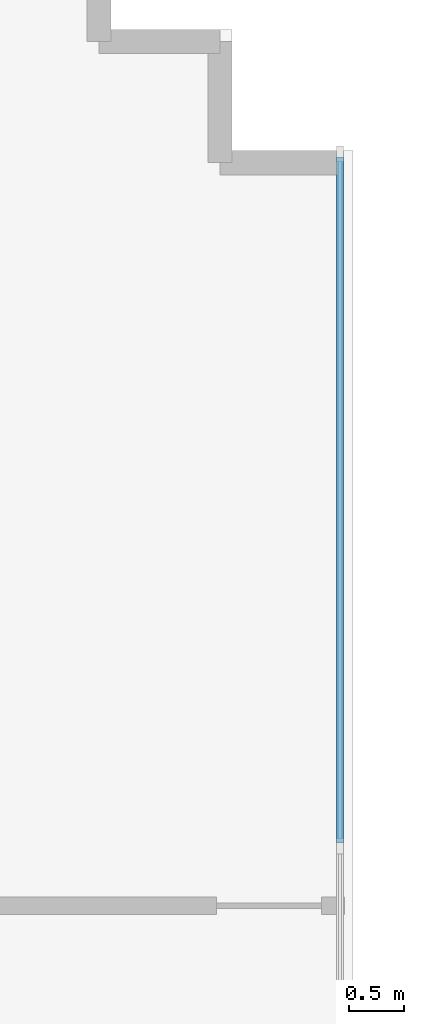
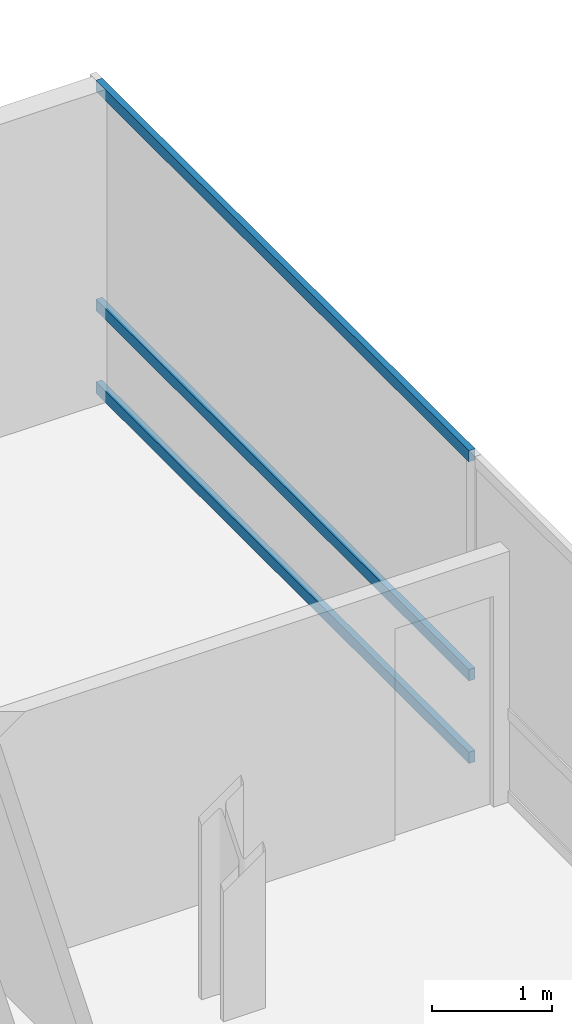
# One storey, part 7 of 17: 3 members, 1 element without a shape of its own.
"""IFC4 building model written with IfcOpenShell, lengths in metres."""

import ifcopenshell
import ifcopenshell.guid

model = None  # the IFC model being written
_history = None  # IfcOwnerHistory: only IFC2X3 demands one
_inside = {}  # id of a spatial element -> (the spatial element, [elements in it])
_under = {}  # id of a project, library or spatial element -> (it, [spatial elements below it])
_declared = {}  # id of a project -> (the project, [libraries it declares])
_typed = {}  # id of a type object -> (the type object, [elements of that type])
_made_of = {}  # id of a material, layer set ... -> (it, [elements and type objects made of it])


def new_model(schema):
    """Start an empty IFC model of exactly this schema.

    Asked for "IFC4X3", IfcOpenShell would pick the latest addendum, in which some entities
    have other attributes; the version numbers below select the first issue.
    IFC2X3 requires an IfcOwnerHistory on every rooted entity: one is made here for all.
    """
    global model, _history
    if schema == "IFC4X3":
        model = ifcopenshell.file(schema_version=(4, 3, 0, 0))
    else:
        model = ifcopenshell.file(schema=schema)
    _inside.clear()
    _under.clear()
    _declared.clear()
    _typed.clear()
    _made_of.clear()
    _history = None
    if model.schema == "IFC2X3":
        org = make("IfcOrganization", Name="unknown")
        user = make(
            "IfcPersonAndOrganization",
            ThePerson=make("IfcPerson", FamilyName="unknown"),
            TheOrganization=org,
        )
        app = make(
            "IfcApplication",
            ApplicationDeveloper=org,
            Version="unknown",
            ApplicationFullName="unknown",
            ApplicationIdentifier="unknown",
        )
        _history = make(
            "IfcOwnerHistory",
            OwningUser=user,
            OwningApplication=app,
            ChangeAction="ADDED",
            CreationDate=0,
        )
    return model


def make(cls, **values):
    """One entity of the class cls with the attributes given. An attribute that is None is left unset."""
    return model.create_entity(
        cls, **{name: value for name, value in values.items() if value is not None}
    )


def rooted(cls, **values):
    """An entity with a GlobalId (a new one), such as an element, a storey or a relation."""
    return make(cls, GlobalId=ifcopenshell.guid.new(), OwnerHistory=_history, **values)


def si_unit(unit_type, name, prefix=None):
    """IfcSIUnit, for example si_unit("LENGTHUNIT", "METRE", prefix="MILLI")."""
    return make("IfcSIUnit", UnitType=unit_type, Prefix=prefix, Name=name)


def assignment(units):
    """IfcUnitAssignment: the units of a project."""
    return None if units is None else make("IfcUnitAssignment", Units=units)


def point(xyz):
    """IfcCartesianPoint."""
    return None if xyz is None else make("IfcCartesianPoint", Coordinates=xyz)


def direction(xyz):
    """IfcDirection."""
    return None if xyz is None else make("IfcDirection", DirectionRatios=xyz)


def frame(location, z_axis=None, x_axis=None):
    """IfcAxis2Placement3D, a coordinate frame: its origin and axes. An axis left out is left unset."""
    return make(
        "IfcAxis2Placement3D",
        Location=point(location),
        Axis=direction(z_axis),
        RefDirection=direction(x_axis),
    )


def frame_2d(location, x_axis=None):
    """IfcAxis2Placement2D, a coordinate frame in the plane: its origin and x axis."""
    return make(
        "IfcAxis2Placement2D", Location=point(location), RefDirection=direction(x_axis)
    )


def origin():
    """The frame at (0, 0, 0) with its axes left unset."""
    return frame((0.0, 0.0, 0.0))


def origin_2d():
    """The frame at (0, 0) in the plane with its x axis left unset."""
    return frame_2d((0.0, 0.0))


def place(relative_to, where):
    """IfcLocalPlacement: puts the frame where relative to a parent placement (None: the world)."""
    return make(
        "IfcLocalPlacement", PlacementRelTo=relative_to, RelativePlacement=where
    )


def context(
    kind, dimensions, precision=None, world=None, true_north=None, identifier=None
):
    """IfcGeometricRepresentationContext, for example the 3D "Model" context."""
    return make(
        "IfcGeometricRepresentationContext",
        ContextIdentifier=identifier,
        ContextType=kind,
        CoordinateSpaceDimension=dimensions,
        Precision=precision,
        WorldCoordinateSystem=world,
        TrueNorth=true_north,
    )


def subcontext(parent, identifier, kind, view, scale=None):
    """IfcGeometricRepresentationSubContext, for example "Body" below "Model"."""
    return make(
        "IfcGeometricRepresentationSubContext",
        ContextIdentifier=identifier,
        ContextType=kind,
        ParentContext=parent,
        TargetScale=scale,
        TargetView=view,
    )


def project(units=None, contexts=None):
    """IfcProject with its units and contexts."""
    return rooted(
        "IfcProject",
        Name="project",
        RepresentationContexts=contexts,
        UnitsInContext=assignment(units),
    )


def spatial(cls, under=None, at=None, **own):
    """A site, building, storey or space (cls), placed at a placement, below another one or the project."""
    s = rooted(cls, ObjectPlacement=at, **own)
    if under is not None:
        _under.setdefault(under.id(), (under, []))[1].append(s)
    return s


def profile(cls, at=None, kind="AREA", **sizes):
    """A parametric profile (cls). Its sizes go by their IFC names, for example OverallWidth=200.0."""
    return make(cls, ProfileType=kind, Position=at, **sizes)


def rectangle(**sizes):
    """IfcRectangleProfileDef."""
    return profile("IfcRectangleProfileDef", **sizes)


def extrude(swept, where, along, depth):
    """IfcExtrudedAreaSolid: the profile swept, set in the frame where, extruded along a direction by depth."""
    return make(
        "IfcExtrudedAreaSolid",
        SweptArea=swept,
        Position=where,
        ExtrudedDirection=direction(along),
        Depth=depth,
    )


def shape(context_of_items, identifier, shape_type, items):
    """IfcShapeRepresentation: the items that make up one representation, for example the "Body"."""
    return make(
        "IfcShapeRepresentation",
        ContextOfItems=context_of_items,
        RepresentationIdentifier=identifier,
        RepresentationType=shape_type,
        Items=items,
    )


def material(Name=None, Category=None):
    """IfcMaterial."""
    return make("IfcMaterial", Name=Name, Category=Category)


def material_profile(
    of_material, cross_section, Name=None, Category=None, Priority=None
):
    """IfcMaterialProfile: a cross section and its material."""
    return make(
        "IfcMaterialProfile",
        Name=Name,
        Material=of_material,
        Profile=cross_section,
        Priority=Priority,
        Category=Category,
    )


def profile_set(profiles, Name=None, composite=None):
    """IfcMaterialProfileSet."""
    return make(
        "IfcMaterialProfileSet",
        Name=Name,
        MaterialProfiles=profiles,
        CompositeProfile=composite,
    )


def made_of(thing, what):
    """Note that an element or type object is made of a material, layer set ...; save() writes the relation."""
    if what is not None:
        _made_of.setdefault(what.id(), (what, []))[1].append(thing)
    return thing


def type_object(cls, material=None, **own):
    """A type object (cls), such as IfcWallType, which elements share."""
    return made_of(rooted(cls, **own), material)


def element(
    cls,
    number,
    at=None,
    inside=None,
    cuts=None,
    type_object=None,
    material=None,
    context=None,
    identifier="Body",
    shape_type=None,
    held_by="IfcProductDefinitionShape",
    body=None,
    shapes=None,
    **own,
):
    """One element of the class cls, such as IfcWall. Its Tag is "e" and its number.

    at: its placement. inside: the storey or other place that contains it. cuts: it is an
    opening in that element (IfcRelVoidsElement). A single representation is given by context,
    identifier, shape_type and body (its items); several are given by shapes. held_by: the class
    of the entity that holds the representations. save() writes the other relations.
    """
    e = rooted(cls, Tag="e%d" % number, ObjectPlacement=at, **own)
    if body is not None:
        shapes = [shape(context, identifier, shape_type, body)]
    if shapes is not None:
        e.Representation = make(held_by, Representations=shapes)
    if inside is not None:
        _inside.setdefault(inside.id(), (inside, []))[1].append(e)
    if cuts is not None:
        rooted(
            "IfcRelVoidsElement", RelatingBuildingElement=cuts, RelatedOpeningElement=e
        )
    if type_object is not None:
        _typed.setdefault(type_object.id(), (type_object, []))[1].append(e)
    return made_of(e, material)


def aggregate(whole, parts):
    """IfcRelAggregates: a whole, such as a stair, and the parts it consists of."""
    return rooted("IfcRelAggregates", RelatingObject=whole, RelatedObjects=parts)


def save(model, path):
    """Write the relations noted so far, then the file.

    IfcRelAggregates (storeys below a building ...), IfcRelContainedInSpatialStructure (elements
    in a storey), IfcRelDefinesByType, IfcRelAssociatesMaterial and IfcRelDeclares: one each for
    every whole, place, type object, material and project.
    """
    for whole, parts in _under.values():
        aggregate(whole, parts)
    for where, things in _inside.values():
        rooted(
            "IfcRelContainedInSpatialStructure",
            RelatedElements=things,
            RelatingStructure=where,
        )
    for kind, things in _typed.values():
        rooted("IfcRelDefinesByType", RelatedObjects=things, RelatingType=kind)
    for what, things in _made_of.values():
        rooted("IfcRelAssociatesMaterial", RelatedObjects=things, RelatingMaterial=what)
    for by, libraries in _declared.values():
        rooted("IfcRelDeclares", RelatingContext=by, RelatedDefinitions=libraries)
    model.write(path)


model = new_model("IFC4")

# Units and contexts
model_context = context("Model", 3, precision=1e-05, world=origin(), true_north=direction((0.0, 1.0)))
body_context = subcontext(model_context, "Body", "Model", "MODEL_VIEW")
ifc_project = project(units=[si_unit("LENGTHUNIT", "METRE"), si_unit("AREAUNIT", "SQUARE_METRE"), si_unit("VOLUMEUNIT", "CUBIC_METRE"), si_unit("PLANEANGLEUNIT", "RADIAN"), si_unit("MASSUNIT", "GRAM", prefix="KILO")], contexts=[model_context])

# Site, building, storey
site_placement = place(None, origin())
site = spatial("IfcSite", under=ifc_project, at=site_placement, CompositionType="ELEMENT")
building_placement = place(site_placement, origin())
building = spatial("IfcBuilding", under=site, at=building_placement, Name="Solmavex Isthmus Hotel", CompositionType="ELEMENT")
storey_placement = place(building_placement, frame((0.0, 0.0, 269.550048828125)))
storey = spatial("IfcBuildingStorey", under=building, at=storey_placement, Name="L73", CompositionType="ELEMENT", Elevation=269.550048828125)

# Curtain wall, members
ifc_material = material(Name="Aluminium alloy 6063-T6", Category="aluminium")
curtain_wall_type = type_object("IfcCurtainWallType", Name="CW-SYS-06", PredefinedType="NOTDEFINED", material=ifc_material)
curtain_wall_placement = place(storey_placement, origin())
curtain_wall = element("IfcCurtainWall", 1, at=curtain_wall_placement, inside=storey, type_object=curtain_wall_type, Name="Stick Curtain Wall CWL-L73-E1", PredefinedType="NOTDEFINED")
ifc_material_profile = material_profile(ifc_material, rectangle(XDim=0.06005859375, YDim=0.114990234375, at=origin_2d()), Name="CWT-60X115")
ifc_profile_set = profile_set([ifc_material_profile], Name="Aluminium alloy 6063-T6")
member_type = type_object("IfcMemberType", Name="CW-SYS-06-TRN", PredefinedType="USERDEFINED", material=ifc_profile_set)
member_1_placement = place(storey_placement, frame((23.8798828125, 12.81005859375, 0.057373046875), z_axis=(0.0, 1.0, 0.0), x_axis=(-1.0, 0.0, 0.0)))
member_1 = element("IfcMember", 2, at=member_1_placement, type_object=member_type, Name="CW-06 transom 5.1", ObjectType="TRANSOM", PredefinedType="USERDEFINED", context=body_context, shape_type="SweptSolid", body=[
    extrude(rectangle(XDim=0.06005859375, YDim=0.114990234375, at=origin_2d()), origin(), (0.0, 0.0, 1.0), 6.22998046875),
])
member_2_placement = place(storey_placement, frame((23.8798828125, 12.81005859375, 0.89990234375), z_axis=(0.0, 1.0, 0.0), x_axis=(-1.0, 0.0, 0.0)))
member_2 = element("IfcMember", 3, at=member_2_placement, type_object=member_type, Name="CW-06 transom 5.2", ObjectType="TRANSOM", PredefinedType="USERDEFINED", context=body_context, shape_type="SweptSolid", body=[
    extrude(rectangle(XDim=0.06005859375, YDim=0.114990234375, at=origin_2d()), origin(), (0.0, 0.0, 1.0), 6.22998046875),
])
member_3_placement = place(storey_placement, frame((23.8798828125, 12.81005859375, 3.132568359375), z_axis=(0.0, 1.0, 0.0), x_axis=(-1.0, 0.0, 0.0)))
member_3 = element("IfcMember", 4, at=member_3_placement, type_object=member_type, Name="CW-06 transom 5.3", ObjectType="TRANSOM", PredefinedType="USERDEFINED", context=body_context, shape_type="SweptSolid", body=[
    extrude(rectangle(XDim=0.06005859375, YDim=0.114990234375, at=origin_2d()), origin(), (0.0, 0.0, 1.0), 6.22998046875),
])
aggregate(curtain_wall, [member_1, member_2, member_3])

save(model, "model.ifc")
